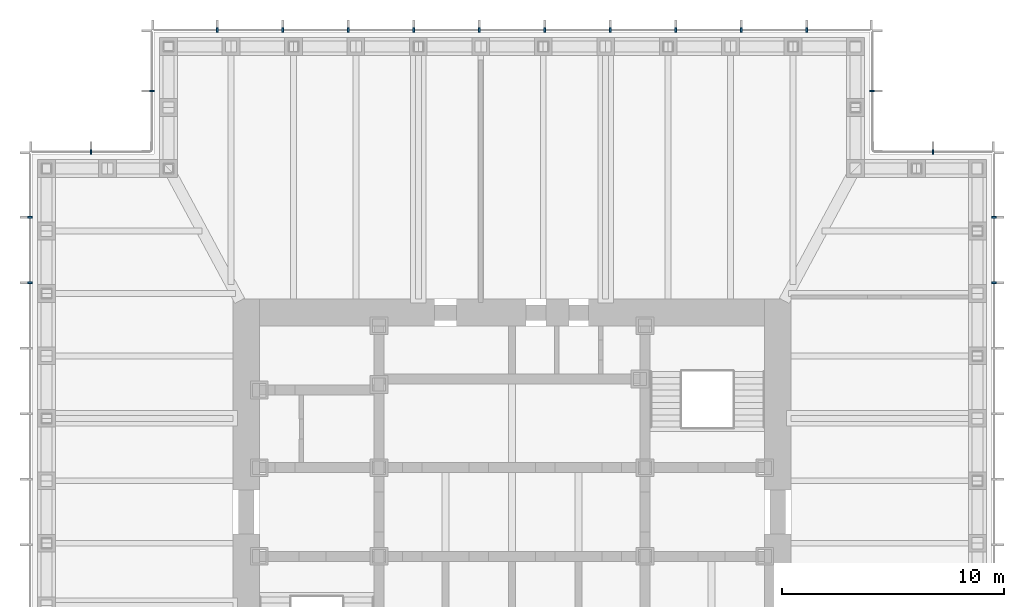
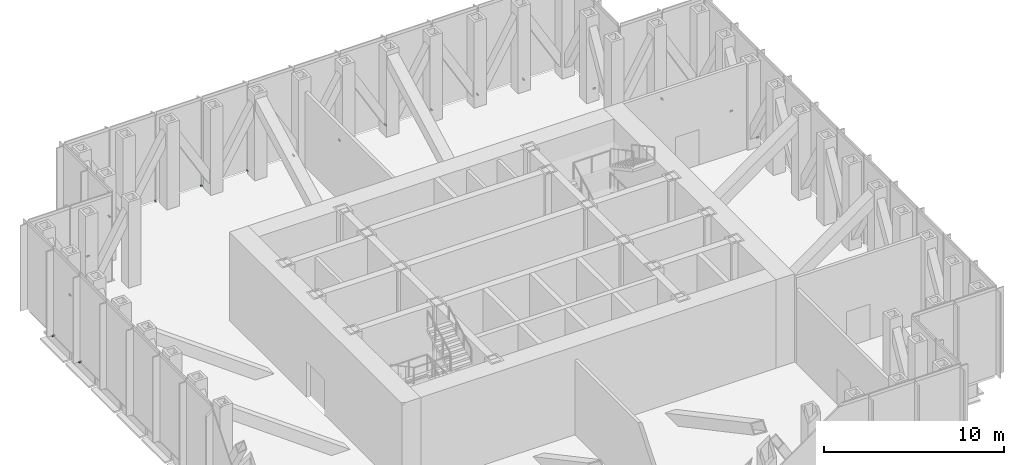
# One storey, part 11 of 12: 18 discrete accessories.
"""IFC4 building model written with IfcOpenShell, lengths in metres."""

import ifcopenshell
import ifcopenshell.guid

model = None  # the IFC model being written
_history = None  # IfcOwnerHistory: only IFC2X3 demands one
_inside = {}  # id of a spatial element -> (the spatial element, [elements in it])
_under = {}  # id of a project, library or spatial element -> (it, [spatial elements below it])
_declared = {}  # id of a project -> (the project, [libraries it declares])
_typed = {}  # id of a type object -> (the type object, [elements of that type])
_made_of = {}  # id of a material, layer set ... -> (it, [elements and type objects made of it])


def new_model(schema):
    """Start an empty IFC model of exactly this schema.

    Asked for "IFC4X3", IfcOpenShell would pick the latest addendum, in which some entities
    have other attributes; the version numbers below select the first issue.
    IFC2X3 requires an IfcOwnerHistory on every rooted entity: one is made here for all.
    """
    global model, _history
    if schema == "IFC4X3":
        model = ifcopenshell.file(schema_version=(4, 3, 0, 0))
    else:
        model = ifcopenshell.file(schema=schema)
    _inside.clear()
    _under.clear()
    _declared.clear()
    _typed.clear()
    _made_of.clear()
    _history = None
    if model.schema == "IFC2X3":
        org = make("IfcOrganization", Name="unknown")
        user = make(
            "IfcPersonAndOrganization",
            ThePerson=make("IfcPerson", FamilyName="unknown"),
            TheOrganization=org,
        )
        app = make(
            "IfcApplication",
            ApplicationDeveloper=org,
            Version="unknown",
            ApplicationFullName="unknown",
            ApplicationIdentifier="unknown",
        )
        _history = make(
            "IfcOwnerHistory",
            OwningUser=user,
            OwningApplication=app,
            ChangeAction="ADDED",
            CreationDate=0,
        )
    return model


def make(cls, **values):
    """One entity of the class cls with the attributes given. An attribute that is None is left unset."""
    return model.create_entity(
        cls, **{name: value for name, value in values.items() if value is not None}
    )


def rooted(cls, **values):
    """An entity with a GlobalId (a new one), such as an element, a storey or a relation."""
    return make(cls, GlobalId=ifcopenshell.guid.new(), OwnerHistory=_history, **values)


def si_unit(unit_type, name, prefix=None):
    """IfcSIUnit, for example si_unit("LENGTHUNIT", "METRE", prefix="MILLI")."""
    return make("IfcSIUnit", UnitType=unit_type, Prefix=prefix, Name=name)


def assignment(units):
    """IfcUnitAssignment: the units of a project."""
    return None if units is None else make("IfcUnitAssignment", Units=units)


def point(xyz):
    """IfcCartesianPoint."""
    return None if xyz is None else make("IfcCartesianPoint", Coordinates=xyz)


def direction(xyz):
    """IfcDirection."""
    return None if xyz is None else make("IfcDirection", DirectionRatios=xyz)


def frame(location, z_axis=None, x_axis=None):
    """IfcAxis2Placement3D, a coordinate frame: its origin and axes. An axis left out is left unset."""
    return make(
        "IfcAxis2Placement3D",
        Location=point(location),
        Axis=direction(z_axis),
        RefDirection=direction(x_axis),
    )


def frame_2d(location, x_axis=None):
    """IfcAxis2Placement2D, a coordinate frame in the plane: its origin and x axis."""
    return make(
        "IfcAxis2Placement2D", Location=point(location), RefDirection=direction(x_axis)
    )


def origin():
    """The frame at (0, 0, 0) with its axes left unset."""
    return frame((0.0, 0.0, 0.0))


def origin_2d():
    """The frame at (0, 0) in the plane with its x axis left unset."""
    return frame_2d((0.0, 0.0))


def place(relative_to, where):
    """IfcLocalPlacement: puts the frame where relative to a parent placement (None: the world)."""
    return make(
        "IfcLocalPlacement", PlacementRelTo=relative_to, RelativePlacement=where
    )


def context(
    kind, dimensions, precision=None, world=None, true_north=None, identifier=None
):
    """IfcGeometricRepresentationContext, for example the 3D "Model" context."""
    return make(
        "IfcGeometricRepresentationContext",
        ContextIdentifier=identifier,
        ContextType=kind,
        CoordinateSpaceDimension=dimensions,
        Precision=precision,
        WorldCoordinateSystem=world,
        TrueNorth=true_north,
    )


def subcontext(parent, identifier, kind, view, scale=None):
    """IfcGeometricRepresentationSubContext, for example "Body" below "Model"."""
    return make(
        "IfcGeometricRepresentationSubContext",
        ContextIdentifier=identifier,
        ContextType=kind,
        ParentContext=parent,
        TargetScale=scale,
        TargetView=view,
    )


def project(units=None, contexts=None):
    """IfcProject with its units and contexts."""
    return rooted(
        "IfcProject",
        Name="project",
        RepresentationContexts=contexts,
        UnitsInContext=assignment(units),
    )


def spatial(cls, under=None, at=None, **own):
    """A site, building, storey or space (cls), placed at a placement, below another one or the project."""
    s = rooted(cls, ObjectPlacement=at, **own)
    if under is not None:
        _under.setdefault(under.id(), (under, []))[1].append(s)
    return s


def profile(cls, at=None, kind="AREA", **sizes):
    """A parametric profile (cls). Its sizes go by their IFC names, for example OverallWidth=200.0."""
    return make(cls, ProfileType=kind, Position=at, **sizes)


def rectangle(**sizes):
    """IfcRectangleProfileDef."""
    return profile("IfcRectangleProfileDef", **sizes)


def extrude(swept, where, along, depth):
    """IfcExtrudedAreaSolid: the profile swept, set in the frame where, extruded along a direction by depth."""
    return make(
        "IfcExtrudedAreaSolid",
        SweptArea=swept,
        Position=where,
        ExtrudedDirection=direction(along),
        Depth=depth,
    )


def shape(context_of_items, identifier, shape_type, items):
    """IfcShapeRepresentation: the items that make up one representation, for example the "Body"."""
    return make(
        "IfcShapeRepresentation",
        ContextOfItems=context_of_items,
        RepresentationIdentifier=identifier,
        RepresentationType=shape_type,
        Items=items,
    )


def made_of(thing, what):
    """Note that an element or type object is made of a material, layer set ...; save() writes the relation."""
    if what is not None:
        _made_of.setdefault(what.id(), (what, []))[1].append(thing)
    return thing


def element(
    cls,
    number,
    at=None,
    inside=None,
    cuts=None,
    type_object=None,
    material=None,
    context=None,
    identifier="Body",
    shape_type=None,
    held_by="IfcProductDefinitionShape",
    body=None,
    shapes=None,
    **own,
):
    """One element of the class cls, such as IfcWall. Its Tag is "e" and its number.

    at: its placement. inside: the storey or other place that contains it. cuts: it is an
    opening in that element (IfcRelVoidsElement). A single representation is given by context,
    identifier, shape_type and body (its items); several are given by shapes. held_by: the class
    of the entity that holds the representations. save() writes the other relations.
    """
    e = rooted(cls, Tag="e%d" % number, ObjectPlacement=at, **own)
    if body is not None:
        shapes = [shape(context, identifier, shape_type, body)]
    if shapes is not None:
        e.Representation = make(held_by, Representations=shapes)
    if inside is not None:
        _inside.setdefault(inside.id(), (inside, []))[1].append(e)
    if cuts is not None:
        rooted(
            "IfcRelVoidsElement", RelatingBuildingElement=cuts, RelatedOpeningElement=e
        )
    if type_object is not None:
        _typed.setdefault(type_object.id(), (type_object, []))[1].append(e)
    return made_of(e, material)


def aggregate(whole, parts):
    """IfcRelAggregates: a whole, such as a stair, and the parts it consists of."""
    return rooted("IfcRelAggregates", RelatingObject=whole, RelatedObjects=parts)


def save(model, path):
    """Write the relations noted so far, then the file.

    IfcRelAggregates (storeys below a building ...), IfcRelContainedInSpatialStructure (elements
    in a storey), IfcRelDefinesByType, IfcRelAssociatesMaterial and IfcRelDeclares: one each for
    every whole, place, type object, material and project.
    """
    for whole, parts in _under.values():
        aggregate(whole, parts)
    for where, things in _inside.values():
        rooted(
            "IfcRelContainedInSpatialStructure",
            RelatedElements=things,
            RelatingStructure=where,
        )
    for kind, things in _typed.values():
        rooted("IfcRelDefinesByType", RelatedObjects=things, RelatingType=kind)
    for what, things in _made_of.values():
        rooted("IfcRelAssociatesMaterial", RelatedObjects=things, RelatingMaterial=what)
    for by, libraries in _declared.values():
        rooted("IfcRelDeclares", RelatingContext=by, RelatedDefinitions=libraries)
    model.write(path)


model = new_model("IFC4")

# Units and contexts
model_context = context("Model", 3, precision=1e-05, world=origin(), true_north=direction((0.0, 1.0)))
body_context = subcontext(model_context, "Body", "Model", "MODEL_VIEW")
ifc_project = project(units=[si_unit("LENGTHUNIT", "METRE"), si_unit("AREAUNIT", "SQUARE_METRE"), si_unit("VOLUMEUNIT", "CUBIC_METRE"), si_unit("PLANEANGLEUNIT", "RADIAN"), si_unit("MASSUNIT", "GRAM", prefix="KILO")], contexts=[model_context])

# Site, building, storey
site_placement = place(None, origin())
site = spatial("IfcSite", under=ifc_project, at=site_placement, CompositionType="ELEMENT")
building_placement = place(site_placement, origin())
building = spatial("IfcBuilding", under=site, at=building_placement, Name="Daluyong Arena Tower", CompositionType="ELEMENT")
storey_placement = place(building_placement, frame((0.0, 0.0, 244.300048828125)))
storey = spatial("IfcBuildingStorey", under=building, at=storey_placement, Name="L55", CompositionType="ELEMENT", Elevation=244.300048828125)

# Discrete accessories
for number, where, z_axis, x_axis, name in (
    (1, (77.75, 90.3408203125, -0.10009765625), (0.0, 0.0, 1.0), (0.0, 1.0, 0.0), "curtain wall L55 E anchor bracket 10"),
    (2, (77.75, 93.29541015625, -0.10009765625), (0.0, 0.0, 1.0), (0.0, 1.0, 0.0), "curtain wall L55 E anchor bracket 11"),
    (3, (75.0, 96.25, -0.10009765625), (0.0, 0.0, 1.0), (-1.0, 0.0, 0.0), "curtain wall L55 NE-N anchor bracket 2"),
    (4, (72.25, 99.0, -0.10009765625), (0.0, 0.0, 1.0), (0.0, 1.0, 0.0), "curtain wall L55 NE-E anchor bracket 2"),
    (5, (69.29541015625, 101.75, -0.10009765625), (0.0, 0.0, 1.0), (-1.0, 0.0, 0.0), "curtain wall L55 N anchor bracket 2"),
    (6, (66.3408203125, 101.75, -0.10009765625), (0.0, 0.0, 1.0), (-1.0, 0.0, 0.0), "curtain wall L55 N anchor bracket 3"),
    (7, (63.386474609375, 101.75, -0.10009765625), (0.0, 0.0, 1.0), (-1.0, 0.0, 0.0), "curtain wall L55 N anchor bracket 4"),
    (8, (60.431884765625, 101.75, -0.10009765625), (0.0, 0.0, 1.0), (-1.0, 0.0, 0.0), "curtain wall L55 N anchor bracket 5"),
    (9, (57.477294921875, 101.75, -0.10009765625), (0.0, 0.0, 1.0), (-1.0, 0.0, 0.0), "curtain wall L55 N anchor bracket 6"),
    (10, (54.522705078125, 101.75, -0.10009765625), (0.0, 0.0, 1.0), (-1.0, 0.0, 0.0), "curtain wall L55 N anchor bracket 7"),
    (11, (51.568115234375, 101.75, -0.10009765625), (0.0, 0.0, 1.0), (-1.0, 0.0, 0.0), "curtain wall L55 N anchor bracket 8"),
    (12, (48.613525390625, 101.75, -0.10009765625), (0.0, 0.0, 1.0), (-1.0, 0.0, 0.0), "curtain wall L55 N anchor bracket 9"),
    (13, (45.6591796875, 101.75, -0.10009765625), (0.0, 0.0, 1.0), (-1.0, 0.0, 0.0), "curtain wall L55 N anchor bracket 10"),
    (14, (42.70458984375, 101.75, -0.10009765625), (0.0, 0.0, 1.0), (-1.0, 0.0, 0.0), "curtain wall L55 N anchor bracket 11"),
    (15, (39.75, 99.0, -0.10009765625), (0.0, 0.0, 1.0), (0.0, -1.0, 0.0), "curtain wall L55 NW-W anchor bracket 2"),
    (16, (37.0, 96.25, -0.10009765625), (0.0, 0.0, 1.0), (-1.0, 0.0, 0.0), "curtain wall L55 NW-N anchor bracket 2"),
    (17, (34.25, 93.29541015625, -0.10009765625), (0.0, 0.0, 1.0), (0.0, -1.0, 0.0), "curtain wall L55 W anchor bracket 2"),
    (18, (34.25, 90.3408203125, -0.10009765625), (0.0, 0.0, 1.0), (0.0, -1.0, 0.0), "curtain wall L55 W anchor bracket 3"),
):
    element("IfcDiscreteAccessory", number, at=place(storey_placement, frame(where, z_axis=z_axis, x_axis=x_axis)), inside=storey, Name=name, PredefinedType="BRACKET", context=body_context, shape_type="SweptSolid", body=[
        extrude(rectangle(XDim=0.080078125, YDim=0.199951171875, at=origin_2d()), origin(), (0.0, 0.0, 1.0), 0.10009765625),
    ])

save(model, "model.ifc")
